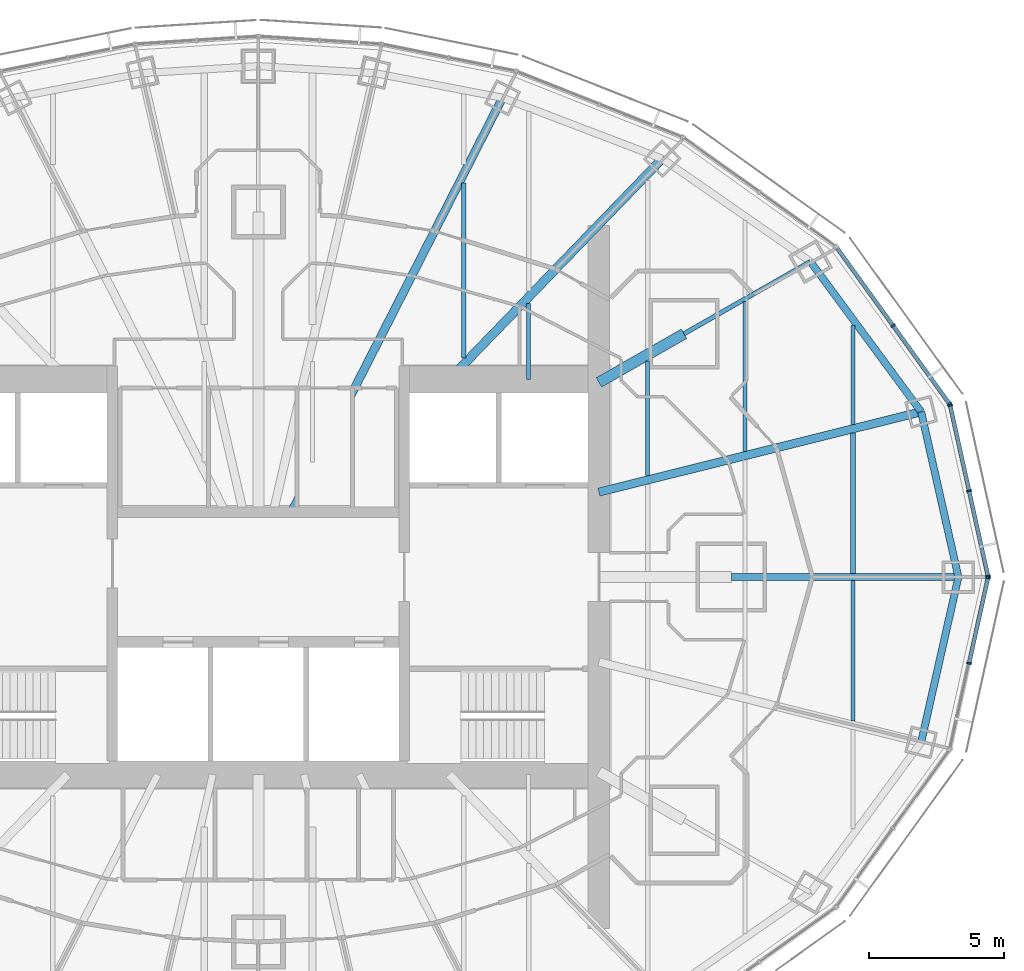
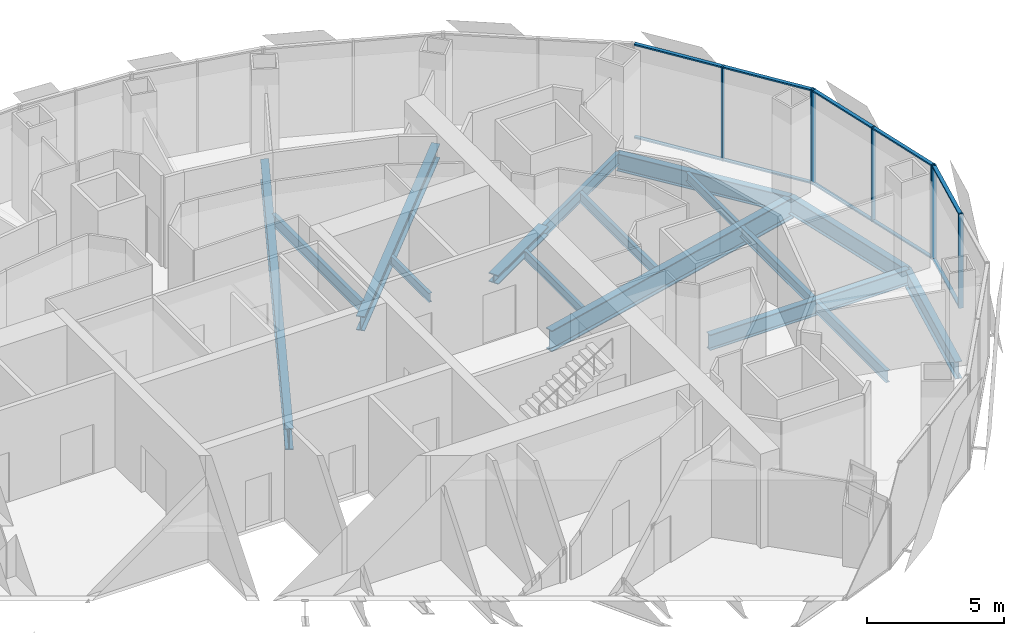
# One storey, part 7 of 18: 17 members, 16 beams, 3 elements without a shape of their own.
"""IFC4 building model written with IfcOpenShell, lengths in metres."""

from ifc_helpers import new_model, si_unit, direction, frame, origin, origin_2d, place, context, subcontext, project, spatial, rectangle, i_section, extrude, material, material_profile, profile_set, type_object, element, aggregate, save


model = new_model("IFC4")

# Units and contexts
model_context = context("Model", 3, precision=1e-05, world=origin(), true_north=direction((0.0, 1.0)))
body_context = subcontext(model_context, "Body", "Model", "MODEL_VIEW")
ifc_project = project(units=[si_unit("LENGTHUNIT", "METRE"), si_unit("AREAUNIT", "SQUARE_METRE"), si_unit("VOLUMEUNIT", "CUBIC_METRE"), si_unit("PLANEANGLEUNIT", "RADIAN"), si_unit("MASSUNIT", "GRAM", prefix="KILO")], contexts=[model_context])

# Site, building, storey
site_placement = place(None, origin())
site = spatial("IfcSite", under=ifc_project, at=site_placement, CompositionType="ELEMENT")
building_placement = place(site_placement, origin())
building = spatial("IfcBuilding", under=site, at=building_placement, Name="Lantaw Convention Tower", CompositionType="ELEMENT")
storey_placement = place(building_placement, frame((0.0, 0.0, 236.800048828125)))
storey = spatial("IfcBuildingStorey", under=building, at=storey_placement, Name="L55", CompositionType="ELEMENT", Elevation=236.800048828125)

# Beams
ifc_material_1 = material(Name="Steel ASTM A992", Category="steel")
ifc_material_profile_1 = material_profile(ifc_material_1, i_section(OverallWidth=0.2666015625, OverallDepth=0.76953125, WebThickness=0.015625, FlangeThickness=0.025390625, FilletRadius=0.0126953125, at=origin_2d()), Name="W30X132")
ifc_profile_set_1 = profile_set([ifc_material_profile_1], Name="Steel ASTM A992")
beam_type_1 = type_object("IfcBeamType", Name="Beam E W30X132", PredefinedType="SPANDREL", material=ifc_profile_set_1)
beam_1_placement = place(storey_placement, frame((25.89990234375, 0.0, -0.534912109375), z_axis=(-0.219857926596, 0.97553190215, 0.0), x_axis=(-0.97553190215, -0.219857926596, 0.0)))
element("IfcBeam", 1, at=beam_1_placement, inside=storey, type_object=beam_type_1, Name="Edge beam 1", PredefinedType="SPANDREL", context=body_context, shape_type="SweptSolid", body=[
    extrude(i_section(OverallWidth=0.2666015625, OverallDepth=0.76953125, WebThickness=0.015625, FlangeThickness=0.025390625, FilletRadius=0.0126953125, at=origin_2d()), origin(), (0.0, 0.0, 1.0), 6.267333984375),
])
beam_2_placement = place(storey_placement, frame((24.52197265625, 6.114013671875, -0.534912109375), z_axis=(-0.593639188853, 0.804731329984, 0.0), x_axis=(-0.804731329984, -0.593639188853, 0.0)))
element("IfcBeam", 2, at=beam_2_placement, inside=storey, type_object=beam_type_1, Name="Edge beam 2", PredefinedType="SPANDREL", context=body_context, shape_type="SweptSolid", body=[
    extrude(i_section(OverallWidth=0.2666015625, OverallDepth=0.76953125, WebThickness=0.015625, FlangeThickness=0.025390625, FilletRadius=0.0126953125, at=origin_2d()), origin(), (0.0, 0.0, 1.0), 6.904541015625),
])
beam_3_placement = place(storey_placement, frame((24.52197265625, -6.114013671875, -0.534912109375), z_axis=(0.219857926596, 0.97553190215, 0.0), x_axis=(-0.97553190215, 0.219857926596, 0.0)))
element("IfcBeam", 3, at=beam_3_placement, inside=storey, type_object=beam_type_1, Name="Edge beam 24", PredefinedType="SPANDREL", context=body_context, shape_type="SweptSolid", body=[
    extrude(i_section(OverallWidth=0.2666015625, OverallDepth=0.76953125, WebThickness=0.015625, FlangeThickness=0.025390625, FilletRadius=0.0126953125, at=origin_2d()), origin(), (0.0, 0.0, 1.0), 6.267333984375),
])
ifc_material_profile_2 = material_profile(ifc_material_1, i_section(OverallWidth=0.1650390625, OverallDepth=0.52587890625, WebThickness=0.0087890625, FlangeThickness=0.011474609375, FilletRadius=0.0126953125, at=origin_2d()), Name="W21X44")
ifc_profile_set_2 = profile_set([ifc_material_profile_2], Name="Steel ASTM A992")
beam_type_2 = type_object("IfcBeamType", Name="Beam G W21X44", PredefinedType="BEAM", material=ifc_profile_set_2)
beam_4_placement = place(storey_placement, frame((15.75, 9.0, -0.412841796875), z_axis=(0.868237559289, 0.496148708192, 0.0), x_axis=(-0.496148708192, 0.868237559289, 0.0)))
element("IfcBeam", 4, at=beam_4_placement, inside=storey, type_object=beam_type_2, Name="Floor girder on ray 3", PredefinedType="BEAM", context=body_context, shape_type="SweptSolid", body=[
    extrude(i_section(OverallWidth=0.1650390625, OverallDepth=0.52587890625, WebThickness=0.0087890625, FlangeThickness=0.011474609375, FilletRadius=0.0126953125, at=origin_2d()), origin(), (0.0, 0.0, 1.0), 5.38232421875),
])
ifc_material_profile_3 = material_profile(ifc_material_1, i_section(OverallWidth=0.32763671875, OverallDepth=0.64013671875, WebThickness=0.01904296875, FlangeThickness=0.033935546875, FilletRadius=0.0126953125, at=origin_2d()), Name="W24X176")
ifc_profile_set_3 = profile_set([ifc_material_profile_3], Name="Steel ASTM A992")
beam_type_3 = type_object("IfcBeamType", Name="Beam G W24X176", PredefinedType="BEAM", material=ifc_profile_set_3)
beam_5_placement = place(storey_placement, frame((7.049560546875, 7.300048828125, -0.469970703125), z_axis=(0.694657766726, 0.719340383356, 0.0), x_axis=(-0.719340383356, 0.694657766726, 0.0)))
element("IfcBeam", 5, at=beam_5_placement, inside=storey, type_object=beam_type_3, Name="Floor girder on ray 4", PredefinedType="BEAM", context=body_context, shape_type="SweptSolid", body=[
    extrude(i_section(OverallWidth=0.32763671875, OverallDepth=0.64013671875, WebThickness=0.01904296875, FlangeThickness=0.033935546875, FilletRadius=0.0126953125, at=origin_2d()), origin(), (0.0, 0.0, 1.0), 11.364990234375),
])
ifc_material_profile_4 = material_profile(ifc_material_1, i_section(OverallWidth=0.25390625, OverallDepth=0.700927734375, WebThickness=0.015380859375, FlangeThickness=0.02783203125, FilletRadius=0.01513671875, at=origin_2d()), Name="W27X129")
ifc_profile_set_4 = profile_set([ifc_material_profile_4], Name="Steel ASTM A992")
beam_type_4 = type_object("IfcBeamType", Name="Beam G W27X129", PredefinedType="BEAM", material=ifc_profile_set_4)
beam_6_placement = place(storey_placement, frame((17.5, 0.0, -0.50048828125), z_axis=(1.0, 0.0, 0.0), x_axis=(0.0, 1.0, 0.0)))
element("IfcBeam", 6, at=beam_6_placement, inside=storey, type_object=beam_type_4, Name="Floor girder on ray 1", PredefinedType="BEAM", context=body_context, shape_type="SweptSolid", body=[
    extrude(i_section(OverallWidth=0.25390625, OverallDepth=0.700927734375, WebThickness=0.015380859375, FlangeThickness=0.02783203125, FilletRadius=0.01513671875, at=origin_2d()), origin(), (0.0, 0.0, 1.0), 8.39990234375),
])
ifc_material_profile_5 = material_profile(ifc_material_1, i_section(OverallWidth=0.307373046875, OverallDepth=0.9423828125, WebThickness=0.022216796875, FlangeThickness=0.039794921875, FilletRadius=0.0126953125, at=origin_2d()), Name="W36X232")
ifc_profile_set_5 = profile_set([ifc_material_profile_5], Name="Steel ASTM A992")
beam_type_5 = type_object("IfcBeamType", Name="Beam G W36X232", PredefinedType="BEAM", material=ifc_profile_set_5)
beam_7_placement = place(storey_placement, frame((12.60009765625, 3.1416015625, -0.621337890625), z_axis=(0.970296589314, 0.241918434119, 0.0), x_axis=(-0.241918434119, 0.970296589314, 0.0)))
element("IfcBeam", 7, at=beam_7_placement, inside=storey, type_object=beam_type_5, Name="Floor girder on ray 2", PredefinedType="BEAM", context=body_context, shape_type="SweptSolid", body=[
    extrude(i_section(OverallWidth=0.307373046875, OverallDepth=0.9423828125, WebThickness=0.022216796875, FlangeThickness=0.039794921875, FilletRadius=0.0126953125, at=origin_2d()), origin(), (0.0, 0.0, 1.0), 12.286865234375),
])
beam_8_placement = place(storey_placement, frame((1.222900390625, 2.39990234375, -0.621337890625), z_axis=(0.453988481463, 0.891007552549, 0.0), x_axis=(-0.891007552549, 0.453988481463, 0.0)))
element("IfcBeam", 8, at=beam_8_placement, inside=storey, type_object=beam_type_5, Name="Floor girder on ray 5", PredefinedType="BEAM", context=body_context, shape_type="SweptSolid", body=[
    extrude(i_section(OverallWidth=0.307373046875, OverallDepth=0.9423828125, WebThickness=0.022216796875, FlangeThickness=0.039794921875, FilletRadius=0.0126953125, at=origin_2d()), origin(), (0.0, 0.0, 1.0), 17.20703125),
])
ifc_material_profile_6 = material_profile(ifc_material_1, i_section(OverallWidth=0.40380859375, OverallDepth=0.406494140625, WebThickness=0.027099609375, FlangeThickness=0.043701171875, FilletRadius=0.01513671875, at=origin_2d()), Name="W14X233")
ifc_profile_set_6 = profile_set([ifc_material_profile_6], Name="Steel ASTM A992")
beam_type_6 = type_object("IfcBeamType", Name="Beam GM W14X233", PredefinedType="BEAM", material=ifc_profile_set_6)
beam_9_placement = place(storey_placement, frame((12.60009765625, 7.199951171875, -0.353271484375), z_axis=(0.868230718294, 0.496160679428, 0.0), x_axis=(-0.496160679428, 0.868230718294, 0.0)))
element("IfcBeam", 9, at=beam_9_placement, inside=storey, type_object=beam_type_6, Name="Core link beam on ray 3", PredefinedType="BEAM", context=body_context, shape_type="SweptSolid", body=[
    extrude(i_section(OverallWidth=0.40380859375, OverallDepth=0.406494140625, WebThickness=0.027099609375, FlangeThickness=0.043701171875, FilletRadius=0.01513671875, at=origin_2d()), origin(), (0.0, 0.0, 1.0), 3.6279296875),
])
ifc_material_profile_7 = material_profile(ifc_material_1, i_section(OverallWidth=0.140380859375, OverallDepth=0.40380859375, WebThickness=0.007080078125, FlangeThickness=0.01123046875, FilletRadius=0.01025390625, at=origin_2d()), Name="W16X31")
ifc_profile_set_7 = profile_set([ifc_material_profile_7], Name="Steel ASTM A992")
beam_type_7 = type_object("IfcBeamType", Name="Beam J W16X31", PredefinedType="JOIST", material=ifc_profile_set_7)
beam_10_placement = place(storey_placement, frame((10.0, 7.300048828125, -0.35205078125), z_axis=(0.0, 1.0, 0.0), x_axis=(-1.0, 0.0, 0.0)))
element("IfcBeam", 10, at=beam_10_placement, inside=storey, type_object=beam_type_7, Name="Floor joist", PredefinedType="JOIST", context=body_context, shape_type="SweptSolid", body=[
    extrude(i_section(OverallWidth=0.140380859375, OverallDepth=0.40380859375, WebThickness=0.007080078125, FlangeThickness=0.01123046875, FilletRadius=0.01025390625, at=origin_2d()), origin(), (0.0, 0.0, 1.0), 2.8193359375),
])
beam_11_placement = place(storey_placement, frame((14.39990234375, 3.748779296875, -0.35205078125), z_axis=(0.0, 1.0, 0.0), x_axis=(-1.0, 0.0, 0.0)))
element("IfcBeam", 11, at=beam_11_placement, inside=storey, type_object=beam_type_7, Name="Floor joist", PredefinedType="JOIST", context=body_context, shape_type="SweptSolid", body=[
    extrude(i_section(OverallWidth=0.140380859375, OverallDepth=0.40380859375, WebThickness=0.007080078125, FlangeThickness=0.01123046875, FilletRadius=0.01025390625, at=origin_2d()), origin(), (0.0, 0.0, 1.0), 4.247314453125),
])
beam_12_placement = place(storey_placement, frame((22.0, 5.6435546875, -0.35205078125), z_axis=(0.0, 1.0, 0.0), x_axis=(-1.0, 0.0, 0.0)))
element("IfcBeam", 12, at=beam_12_placement, inside=storey, type_object=beam_type_7, Name="Floor joist", PredefinedType="JOIST", context=body_context, shape_type="SweptSolid", body=[
    extrude(i_section(OverallWidth=0.140380859375, OverallDepth=0.40380859375, WebThickness=0.007080078125, FlangeThickness=0.01123046875, FilletRadius=0.01025390625, at=origin_2d()), origin(), (0.0, 0.0, 1.0), 3.66455078125),
])
ifc_material_profile_8 = material_profile(ifc_material_1, i_section(OverallWidth=0.15234375, OverallDepth=0.449462890625, WebThickness=0.007568359375, FlangeThickness=0.0107421875, FilletRadius=0.01025390625, at=origin_2d()), Name="W18X35")
ifc_profile_set_8 = profile_set([ifc_material_profile_8], Name="Steel ASTM A992")
beam_type_8 = type_object("IfcBeamType", Name="Beam J W18X35", PredefinedType="JOIST", material=ifc_profile_set_8)
beam_13_placement = place(storey_placement, frame((18.0, 4.646240234375, -0.374755859375), z_axis=(0.0, 1.0, 0.0), x_axis=(-1.0, 0.0, 0.0)))
element("IfcBeam", 13, at=beam_13_placement, inside=storey, type_object=beam_type_8, Name="Floor joist", PredefinedType="JOIST", context=body_context, shape_type="SweptSolid", body=[
    extrude(i_section(OverallWidth=0.15234375, OverallDepth=0.449462890625, WebThickness=0.007568359375, FlangeThickness=0.0107421875, FilletRadius=0.01025390625, at=origin_2d()), origin(), (0.0, 0.0, 1.0), 5.54443359375),
])
ifc_material_profile_9 = material_profile(ifc_material_1, i_section(OverallWidth=0.1904296875, OverallDepth=0.457275390625, WebThickness=0.009033203125, FlangeThickness=0.014404296875, FilletRadius=0.01025390625, at=origin_2d()), Name="W18X50")
ifc_profile_set_9 = profile_set([ifc_material_profile_9], Name="Steel ASTM A992")
beam_type_9 = type_object("IfcBeamType", Name="Beam J W18X50", PredefinedType="JOIST", material=ifc_profile_set_9)
beam_14_placement = place(storey_placement, frame((22.0, 0.126953125, -0.378662109375), z_axis=(0.0, 1.0, 0.0), x_axis=(-1.0, 0.0, 0.0)))
element("IfcBeam", 14, at=beam_14_placement, inside=storey, type_object=beam_type_9, Name="Floor joist", PredefinedType="JOIST", context=body_context, shape_type="SweptSolid", body=[
    extrude(i_section(OverallWidth=0.1904296875, OverallDepth=0.457275390625, WebThickness=0.009033203125, FlangeThickness=0.014404296875, FilletRadius=0.01025390625, at=origin_2d()), origin(), (0.0, 0.0, 1.0), 5.199951171875),
])
ifc_material_profile_10 = material_profile(ifc_material_1, i_section(OverallWidth=0.1650390625, OverallDepth=0.52587890625, WebThickness=0.0087890625, FlangeThickness=0.011474609375, FilletRadius=0.0126953125, at=origin_2d()), Name="W21X44")
ifc_profile_set_10 = profile_set([ifc_material_profile_10], Name="Steel ASTM A992")
beam_type_10 = type_object("IfcBeamType", Name="Beam J W21X44", PredefinedType="JOIST", material=ifc_profile_set_10)
beam_15_placement = place(storey_placement, frame((7.60009765625, 8.10595703125, -0.412841796875), z_axis=(0.0, 1.0, 0.0), x_axis=(-1.0, 0.0, 0.0)))
element("IfcBeam", 15, at=beam_15_placement, inside=storey, type_object=beam_type_10, Name="Floor joist", PredefinedType="JOIST", context=body_context, shape_type="SweptSolid", body=[
    extrude(i_section(OverallWidth=0.1650390625, OverallDepth=0.52587890625, WebThickness=0.0087890625, FlangeThickness=0.011474609375, FilletRadius=0.0126953125, at=origin_2d()), origin(), (0.0, 0.0, 1.0), 6.471435546875),
])
beam_16_placement = place(storey_placement, frame((22.0, -5.326904296875, -0.412841796875), z_axis=(0.0, 1.0, 0.0), x_axis=(-1.0, 0.0, 0.0)))
element("IfcBeam", 16, at=beam_16_placement, inside=storey, type_object=beam_type_10, Name="Floor joist", PredefinedType="JOIST", context=body_context, shape_type="SweptSolid", body=[
    extrude(i_section(OverallWidth=0.1650390625, OverallDepth=0.52587890625, WebThickness=0.0087890625, FlangeThickness=0.011474609375, FilletRadius=0.0126953125, at=origin_2d()), origin(), (0.0, 0.0, 1.0), 5.199951171875),
])

# Curtain wall, members
ifc_material_2 = material(Name="Aluminium framed curtain wall", Category="aluminium")
curtain_wall_type = type_object("IfcCurtainWallType", Name="Office curtain wall high rise, pale aluminium", PredefinedType="USERDEFINED", material=ifc_material_2)
curtain_wall_1_placement = place(storey_placement, origin())
curtain_wall_1 = element("IfcCurtainWall", 17, at=curtain_wall_1_placement, inside=storey, type_object=curtain_wall_type, Name="Office curtain wall high rise, pale aluminium L55", ObjectType="UNITISED CURTAIN WALL", PredefinedType="USERDEFINED")
ifc_material_3 = material(Name="Aluminium 6063-T6", Category="aluminium")
ifc_material_profile_11 = material_profile(ifc_material_3, rectangle(XDim=0.179931640625, YDim=0.06494140625, at=origin_2d()), Name="CW-O2 mullion 65x180")
ifc_profile_set_11 = profile_set([ifc_material_profile_11], Name="Aluminium 6063-T6")
member_type_1 = type_object("IfcMemberType", Name="CW-O2 mullion 65x180", PredefinedType="MULLION", material=ifc_profile_set_11)
member_1_placement = place(storey_placement, frame((26.992919921875, 0.03173828125, -0.150146484375), z_axis=(0.0, 0.0, 1.0), x_axis=(-0.976417396437, -0.215891333626, 0.0)))
member_1 = element("IfcMember", 18, at=member_1_placement, type_object=member_type_1, Name="CW-O2 mullion 1", PredefinedType="MULLION", context=body_context, shape_type="SweptSolid", body=[
    extrude(rectangle(XDim=0.179931640625, YDim=0.06494140625, at=origin_2d()), origin(), (0.0, 0.0, 1.0), 4.2001953125),
])
member_2_placement = place(storey_placement, frame((26.294677734375, 3.190185546875, -0.150146484375), z_axis=(0.0, 0.0, 1.0), x_axis=(-0.976417396437, -0.215891333626, 0.0)))
member_2 = element("IfcMember", 19, at=member_2_placement, type_object=member_type_1, Name="CW-O2 mullion 2", PredefinedType="MULLION", context=body_context, shape_type="SweptSolid", body=[
    extrude(rectangle(XDim=0.179931640625, YDim=0.06494140625, at=origin_2d()), origin(), (0.0, 0.0, 1.0), 4.2001953125),
])
member_3_placement = place(storey_placement, frame((25.596435546875, 6.348388671875, -0.150146484375), z_axis=(0.0, 0.0, 1.0), x_axis=(-0.976417396437, -0.215891333626, 0.0)))
member_3 = element("IfcMember", 20, at=member_3_placement, type_object=member_type_1, Name="CW-O2 mullion 3", PredefinedType="MULLION", context=body_context, shape_type="SweptSolid", body=[
    extrude(rectangle(XDim=0.179931640625, YDim=0.06494140625, at=origin_2d()), origin(), (0.0, 0.0, 1.0), 4.2001953125),
])

curtain_wall_2_placement = place(storey_placement, origin())
curtain_wall_2 = element("IfcCurtainWall", 21, at=curtain_wall_2_placement, inside=storey, type_object=curtain_wall_type, Name="Office curtain wall high rise, pale aluminium L55", ObjectType="UNITISED CURTAIN WALL", PredefinedType="USERDEFINED")
member_4_placement = place(storey_placement, frame((25.5703125, 6.406494140625, -0.150146484375), z_axis=(0.0, 0.0, 1.0), x_axis=(-0.810919559405, -0.585157643865, 0.0)))
member_4 = element("IfcMember", 22, at=member_4_placement, type_object=member_type_1, Name="CW-O2 mullion 1", PredefinedType="MULLION", context=body_context, shape_type="SweptSolid", body=[
    extrude(rectangle(XDim=0.179931640625, YDim=0.06494140625, at=origin_2d()), origin(), (0.0, 0.0, 1.0), 4.2001953125),
])
member_5_placement = place(storey_placement, frame((23.483642578125, 9.298095703125, -0.150146484375), z_axis=(0.0, 0.0, 1.0), x_axis=(-0.810919559405, -0.585157643865, 0.0)))
member_5 = element("IfcMember", 23, at=member_5_placement, type_object=member_type_1, Name="CW-O2 mullion 2", PredefinedType="MULLION", context=body_context, shape_type="SweptSolid", body=[
    extrude(rectangle(XDim=0.179931640625, YDim=0.06494140625, at=origin_2d()), origin(), (0.0, 0.0, 1.0), 4.2001953125),
])

curtain_wall_3_placement = place(storey_placement, origin())
curtain_wall_3 = element("IfcCurtainWall", 24, at=curtain_wall_3_placement, inside=storey, type_object=curtain_wall_type, Name="Office curtain wall high rise, pale aluminium L55", ObjectType="UNITISED CURTAIN WALL", PredefinedType="USERDEFINED")
member_6_placement = place(storey_placement, frame((26.294677734375, -3.190185546875, -0.150146484375), z_axis=(0.0, 0.0, 1.0), x_axis=(-0.976417396437, 0.215891333626, 0.0)))
member_6 = element("IfcMember", 25, at=member_6_placement, type_object=member_type_1, Name="CW-O2 mullion 2", PredefinedType="MULLION", context=body_context, shape_type="SweptSolid", body=[
    extrude(rectangle(XDim=0.179931640625, YDim=0.06494140625, at=origin_2d()), origin(), (0.0, 0.0, 1.0), 4.2001953125),
])
member_7_placement = place(storey_placement, frame((26.992919921875, -0.03173828125, -0.150146484375), z_axis=(0.0, 0.0, 1.0), x_axis=(-0.976417396437, 0.215891333626, 0.0)))
member_7 = element("IfcMember", 26, at=member_7_placement, type_object=member_type_1, Name="CW-O2 mullion 3", PredefinedType="MULLION", context=body_context, shape_type="SweptSolid", body=[
    extrude(rectangle(XDim=0.179931640625, YDim=0.06494140625, at=origin_2d()), origin(), (0.0, 0.0, 1.0), 4.2001953125),
])

# Member
ifc_material_profile_12 = material_profile(ifc_material_3, rectangle(XDim=0.14990234375, YDim=0.06494140625, at=origin_2d()), Name="CW-O2 transom 65x150")
ifc_profile_set_12 = profile_set([ifc_material_profile_12], Name="Aluminium 6063-T6")
member_type_2 = type_object("IfcMemberType", Name="CW-O2 transom 65x150", PredefinedType="USERDEFINED", material=ifc_profile_set_12)
member_8_placement = place(storey_placement, frame((26.986083984375, 0.0634765625, -0.117431640625), z_axis=(-0.215894607042, 0.976416672661, 0.0), x_axis=(-0.976416672661, -0.215894607042, 0.0)))
member_8 = element("IfcMember", 27, at=member_8_placement, type_object=member_type_2, Name="CW-O2 transom 1.1", ObjectType="TRANSOM", PredefinedType="USERDEFINED", context=body_context, shape_type="SweptSolid", body=[
    extrude(rectangle(XDim=0.14990234375, YDim=0.06494140625, at=origin_2d()), origin(), (0.0, 0.0, 1.0), 3.169677734375),
])

member_9_placement = place(storey_placement, frame((26.986083984375, 0.0634765625, 4.017333984375), z_axis=(-0.215894607042, 0.976416672661, 0.0), x_axis=(-0.976416672661, -0.215894607042, 0.0)))
member_9 = element("IfcMember", 28, at=member_9_placement, type_object=member_type_2, Name="CW-O2 transom 1.2", ObjectType="TRANSOM", PredefinedType="USERDEFINED", context=body_context, shape_type="SweptSolid", body=[
    extrude(rectangle(XDim=0.14990234375, YDim=0.06494140625, at=origin_2d()), origin(), (0.0, 0.0, 1.0), 3.169677734375),
])

member_10_placement = place(storey_placement, frame((26.28759765625, 3.2216796875, -0.117431640625), z_axis=(-0.215894607042, 0.976416672661, 0.0), x_axis=(-0.976416672661, -0.215894607042, 0.0)))
member_10 = element("IfcMember", 29, at=member_10_placement, type_object=member_type_2, Name="CW-O2 transom 2.1", ObjectType="TRANSOM", PredefinedType="USERDEFINED", context=body_context, shape_type="SweptSolid", body=[
    extrude(rectangle(XDim=0.14990234375, YDim=0.06494140625, at=origin_2d()), origin(), (0.0, 0.0, 1.0), 3.169677734375),
])

member_11_placement = place(storey_placement, frame((26.28759765625, 3.2216796875, 4.017333984375), z_axis=(-0.215894607042, 0.976416672661, 0.0), x_axis=(-0.976416672661, -0.215894607042, 0.0)))
member_11 = element("IfcMember", 30, at=member_11_placement, type_object=member_type_2, Name="CW-O2 transom 2.2", ObjectType="TRANSOM", PredefinedType="USERDEFINED", context=body_context, shape_type="SweptSolid", body=[
    extrude(rectangle(XDim=0.14990234375, YDim=0.06494140625, at=origin_2d()), origin(), (0.0, 0.0, 1.0), 3.169677734375),
])

aggregate(curtain_wall_1, [member_1, member_2, member_3, member_8, member_9, member_10, member_11])

member_12_placement = place(storey_placement, frame((25.55126953125, 6.432861328125, -0.117431640625), z_axis=(-0.585169685931, 0.810910869743, 0.0), x_axis=(-0.810910869743, -0.585169685931, 0.0)))
member_12 = element("IfcMember", 31, at=member_12_placement, type_object=member_type_2, Name="CW-O2 transom 1.1", ObjectType="TRANSOM", PredefinedType="USERDEFINED", context=body_context, shape_type="SweptSolid", body=[
    extrude(rectangle(XDim=0.14990234375, YDim=0.06494140625, at=origin_2d()), origin(), (0.0, 0.0, 1.0), 3.500732421875),
])

member_13_placement = place(storey_placement, frame((25.55126953125, 6.432861328125, 4.017333984375), z_axis=(-0.585169685931, 0.810910869743, 0.0), x_axis=(-0.810910869743, -0.585169685931, 0.0)))
member_13 = element("IfcMember", 32, at=member_13_placement, type_object=member_type_2, Name="CW-O2 transom 1.2", ObjectType="TRANSOM", PredefinedType="USERDEFINED", context=body_context, shape_type="SweptSolid", body=[
    extrude(rectangle(XDim=0.14990234375, YDim=0.06494140625, at=origin_2d()), origin(), (0.0, 0.0, 1.0), 3.500732421875),
])

member_14_placement = place(storey_placement, frame((23.464599609375, 9.324462890625, -0.117431640625), z_axis=(-0.585123825205, 0.810943961798, 0.0), x_axis=(-0.810943961798, -0.585123825205, 0.0)))
member_14 = element("IfcMember", 33, at=member_14_placement, type_object=member_type_2, Name="CW-O2 transom 2.1", ObjectType="TRANSOM", PredefinedType="USERDEFINED", context=body_context, shape_type="SweptSolid", body=[
    extrude(rectangle(XDim=0.14990234375, YDim=0.06494140625, at=origin_2d()), origin(), (0.0, 0.0, 1.0), 3.500732421875),
])

member_15_placement = place(storey_placement, frame((23.464599609375, 9.324462890625, 4.017333984375), z_axis=(-0.585123825205, 0.810943961798, 0.0), x_axis=(-0.810943961798, -0.585123825205, 0.0)))
member_15 = element("IfcMember", 34, at=member_15_placement, type_object=member_type_2, Name="CW-O2 transom 2.2", ObjectType="TRANSOM", PredefinedType="USERDEFINED", context=body_context, shape_type="SweptSolid", body=[
    extrude(rectangle(XDim=0.14990234375, YDim=0.06494140625, at=origin_2d()), origin(), (0.0, 0.0, 1.0), 3.500732421875),
])

aggregate(curtain_wall_2, [member_4, member_5, member_12, member_13, member_14, member_15])

member_16_placement = place(storey_placement, frame((26.3017578125, -3.158447265625, -0.117431640625), z_axis=(0.215894607042, 0.976416672661, 0.0), x_axis=(-0.976416672661, 0.215894607042, 0.0)))
member_16 = element("IfcMember", 35, at=member_16_placement, type_object=member_type_2, Name="CW-O2 transom 2.1", ObjectType="TRANSOM", PredefinedType="USERDEFINED", context=body_context, shape_type="SweptSolid", body=[
    extrude(rectangle(XDim=0.14990234375, YDim=0.06494140625, at=origin_2d()), origin(), (0.0, 0.0, 1.0), 3.169677734375),
])

member_17_placement = place(storey_placement, frame((26.3017578125, -3.158447265625, 4.017333984375), z_axis=(0.215894607042, 0.976416672661, 0.0), x_axis=(-0.976416672661, 0.215894607042, 0.0)))
member_17 = element("IfcMember", 36, at=member_17_placement, type_object=member_type_2, Name="CW-O2 transom 2.2", ObjectType="TRANSOM", PredefinedType="USERDEFINED", context=body_context, shape_type="SweptSolid", body=[
    extrude(rectangle(XDim=0.14990234375, YDim=0.06494140625, at=origin_2d()), origin(), (0.0, 0.0, 1.0), 3.169677734375),
])

aggregate(curtain_wall_3, [member_6, member_7, member_16, member_17])

save(model, "model.ifc")
